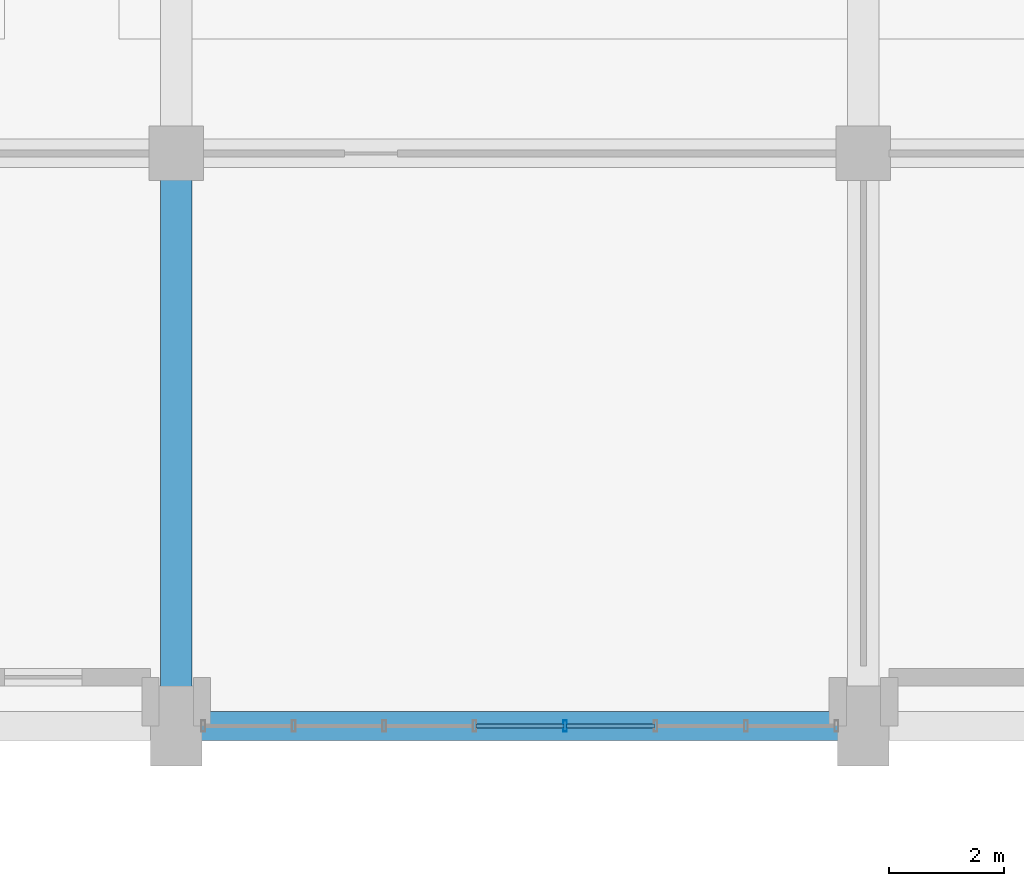
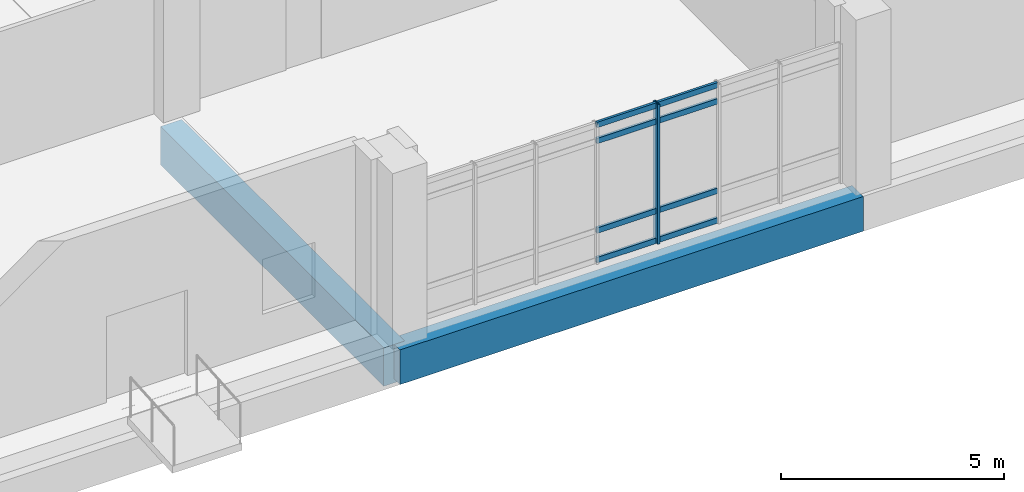
# One storey, part 8 of 87: 9 members, 2 beams, 1 element without a shape of its own.
"""IFC4 building model written with IfcOpenShell, lengths in metres."""

from ifc_helpers import new_model, si_unit, direction, frame, origin, origin_2d, place, context, subcontext, project, spatial, rectangle, hollow_rectangle, extrude, material, layer, layer_set, material_profile, profile_set, type_object, element, aggregate, save


model = new_model("IFC4")

# Units and contexts
model_context = context("Model", 3, precision=1e-05, world=origin(), true_north=direction((0.0, 1.0)))
body_context = subcontext(model_context, "Body", "Model", "MODEL_VIEW")
ifc_project = project(units=[si_unit("LENGTHUNIT", "METRE"), si_unit("AREAUNIT", "SQUARE_METRE"), si_unit("VOLUMEUNIT", "CUBIC_METRE"), si_unit("PLANEANGLEUNIT", "RADIAN"), si_unit("MASSUNIT", "GRAM", prefix="KILO")], contexts=[model_context])

# Site, building, storey
site_placement = place(None, origin())
site = spatial("IfcSite", under=ifc_project, at=site_placement, CompositionType="ELEMENT")
building_placement = place(site_placement, origin())
building = spatial("IfcBuilding", under=site, at=building_placement, Name="Mersad Railyard Sports Hall", CompositionType="ELEMENT")
storey_placement = place(building_placement, origin())
storey = spatial("IfcBuildingStorey", under=building, at=storey_placement, Name="L00", CompositionType="ELEMENT", Elevation=0.0)

# Curtain wall, members
ifc_material_1 = material(Name="Aluminium 6063-T6", Category="aluminium")
ifc_layer = layer(ifc_material_1, 0.199951171875)
ifc_layer_set = layer_set([ifc_layer], Name="Aluminium 6063-T6")
curtain_wall_type = type_object("IfcCurtainWallType", Name="ARC-CW-CW01", PredefinedType="USERDEFINED", material=ifc_layer_set)
curtain_wall_placement = place(storey_placement, origin())
curtain_wall = element("IfcCurtainWall", 1, at=curtain_wall_placement, inside=storey, type_object=curtain_wall_type, Name="Curtain wall CW01-0007", ObjectType="CURTAIN WALL", PredefinedType="USERDEFINED")
ifc_material_profile_1 = material_profile(ifc_material_1, hollow_rectangle(XDim=0.06494140625, YDim=0.199951171875, WallThickness=0.0048828125, at=origin_2d()), Name="AL MULLION 65x200x5")
ifc_profile_set_1 = profile_set([ifc_material_profile_1], Name="Aluminium 6063-T6")
member_type_1 = type_object("IfcMemberType", Name="ARC-CW-MUL02", PredefinedType="MULLION", material=ifc_profile_set_1)
member_1_placement = place(storey_placement, frame((37.7900390625, 3.5, -0.02001953125), z_axis=(0.0, 0.0, 1.0), x_axis=(1.0, 0.0, 0.0)))
member_1 = element("IfcMember", 2, at=member_1_placement, type_object=member_type_1, Name="CW01 Mullion 4", PredefinedType="MULLION", context=body_context, shape_type="SweptSolid", body=[
    extrude(hollow_rectangle(XDim=0.06494140625, YDim=0.199951171875, WallThickness=0.0048828125, at=origin_2d()), origin(), (0.0, 0.0, 1.0), 3.820068359375),
])
ifc_material_profile_2 = material_profile(ifc_material_1, hollow_rectangle(XDim=0.06494140625, YDim=0.14990234375, WallThickness=0.00439453125, at=origin_2d()), Name="AL TRANSOM 65x150x4.5")
ifc_profile_set_2 = profile_set([ifc_material_profile_2], Name="Aluminium 6063-T6")
member_type_2 = type_object("IfcMemberType", Name="ARC-CW-TRN02", PredefinedType="USERDEFINED", material=ifc_profile_set_2)
member_2_placement = place(storey_placement, frame((39.35009765625, 3.5, 0.0400390625), z_axis=(-1.0, 0.0, 0.0), x_axis=(0.0, -1.0, 0.0)))
member_2 = element("IfcMember", 3, at=member_2_placement, type_object=member_type_2, Name="CW01 Transom 1-3", ObjectType="TRANSOM", PredefinedType="USERDEFINED", context=body_context, shape_type="SweptSolid", body=[
    extrude(hollow_rectangle(XDim=0.06494140625, YDim=0.14990234375, WallThickness=0.00439453125, at=origin_2d()), origin(), (0.0, 0.0, 1.0), 1.5400390625),
])
member_3_placement = place(storey_placement, frame((37.77001953125, 3.5, 0.0400390625), z_axis=(-1.0, 0.0, 0.0), x_axis=(0.0, -1.0, 0.0)))
member_3 = element("IfcMember", 4, at=member_3_placement, type_object=member_type_2, Name="CW01 Transom 1-4", ObjectType="TRANSOM", PredefinedType="USERDEFINED", context=body_context, shape_type="SweptSolid", body=[
    extrude(hollow_rectangle(XDim=0.06494140625, YDim=0.14990234375, WallThickness=0.00439453125, at=origin_2d()), origin(), (0.0, 0.0, 1.0), 1.5400390625),
])
member_4_placement = place(storey_placement, frame((39.35009765625, 3.5, 0.85009765625), z_axis=(-1.0, 0.0, 0.0), x_axis=(0.0, -1.0, 0.0)))
member_4 = element("IfcMember", 5, at=member_4_placement, type_object=member_type_2, Name="CW01 Transom 2-3", ObjectType="TRANSOM", PredefinedType="USERDEFINED", context=body_context, shape_type="SweptSolid", body=[
    extrude(hollow_rectangle(XDim=0.06494140625, YDim=0.14990234375, WallThickness=0.00439453125, at=origin_2d()), origin(), (0.0, 0.0, 1.0), 1.5400390625),
])
member_5_placement = place(storey_placement, frame((37.77001953125, 3.5, 0.85009765625), z_axis=(-1.0, 0.0, 0.0), x_axis=(0.0, -1.0, 0.0)))
member_5 = element("IfcMember", 6, at=member_5_placement, type_object=member_type_2, Name="CW01 Transom 2-4", ObjectType="TRANSOM", PredefinedType="USERDEFINED", context=body_context, shape_type="SweptSolid", body=[
    extrude(hollow_rectangle(XDim=0.06494140625, YDim=0.14990234375, WallThickness=0.00439453125, at=origin_2d()), origin(), (0.0, 0.0, 1.0), 1.5400390625),
])
member_6_placement = place(storey_placement, frame((39.35009765625, 3.5, 3.300048828125), z_axis=(-1.0, 0.0, 0.0), x_axis=(0.0, -1.0, 0.0)))
member_6 = element("IfcMember", 7, at=member_6_placement, type_object=member_type_2, Name="CW01 Transom 3-3", ObjectType="TRANSOM", PredefinedType="USERDEFINED", context=body_context, shape_type="SweptSolid", body=[
    extrude(hollow_rectangle(XDim=0.06494140625, YDim=0.14990234375, WallThickness=0.00439453125, at=origin_2d()), origin(), (0.0, 0.0, 1.0), 1.5400390625),
])
member_7_placement = place(storey_placement, frame((37.77001953125, 3.5, 3.300048828125), z_axis=(-1.0, 0.0, 0.0), x_axis=(0.0, -1.0, 0.0)))
member_7 = element("IfcMember", 8, at=member_7_placement, type_object=member_type_2, Name="CW01 Transom 3-4", ObjectType="TRANSOM", PredefinedType="USERDEFINED", context=body_context, shape_type="SweptSolid", body=[
    extrude(hollow_rectangle(XDim=0.06494140625, YDim=0.14990234375, WallThickness=0.00439453125, at=origin_2d()), origin(), (0.0, 0.0, 1.0), 1.5400390625),
])
member_8_placement = place(storey_placement, frame((39.35009765625, 3.5, 3.739990234375), z_axis=(-1.0, 0.0, 0.0), x_axis=(0.0, -1.0, 0.0)))
member_8 = element("IfcMember", 9, at=member_8_placement, type_object=member_type_2, Name="CW01 Transom 4-3", ObjectType="TRANSOM", PredefinedType="USERDEFINED", context=body_context, shape_type="SweptSolid", body=[
    extrude(hollow_rectangle(XDim=0.06494140625, YDim=0.14990234375, WallThickness=0.00439453125, at=origin_2d()), origin(), (0.0, 0.0, 1.0), 1.5400390625),
])
member_9_placement = place(storey_placement, frame((37.77001953125, 3.5, 3.739990234375), z_axis=(-1.0, 0.0, 0.0), x_axis=(0.0, -1.0, 0.0)))
member_9 = element("IfcMember", 10, at=member_9_placement, type_object=member_type_2, Name="CW01 Transom 4-4", ObjectType="TRANSOM", PredefinedType="USERDEFINED", context=body_context, shape_type="SweptSolid", body=[
    extrude(hollow_rectangle(XDim=0.06494140625, YDim=0.14990234375, WallThickness=0.00439453125, at=origin_2d()), origin(), (0.0, 0.0, 1.0), 1.5400390625),
])
aggregate(curtain_wall, [member_1, member_2, member_3, member_4, member_5, member_6, member_7, member_8, member_9])

# Beams
ifc_material_2 = material(Name="Concrete C50/60", Category="concrete")
ifc_material_profile_3 = material_profile(ifc_material_2, rectangle(XDim=0.5, YDim=0.949951171875, at=origin_2d()), Name="RC 500x950")
ifc_profile_set_3 = profile_set([ifc_material_profile_3], Name="Concrete C50/60")
beam_type_1 = type_object("IfcBeamType", Name="STR-BM-B03", PredefinedType="BEAM", material=ifc_profile_set_3)
beam_1_placement = place(storey_placement, frame((31.0, 3.5, -0.925048828125), z_axis=(1.0, 0.0, 0.0), x_axis=(0.0, 1.0, 0.0)))
element("IfcBeam", 11, at=beam_1_placement, inside=storey, type_object=beam_type_1, Name="Beam B03-0003", PredefinedType="BEAM", context=body_context, shape_type="SweptSolid", body=[
    extrude(rectangle(XDim=0.5, YDim=0.949951171875, at=origin_2d()), origin(), (0.0, 0.0, 1.0), 12.0),
])
ifc_material_profile_4 = material_profile(ifc_material_2, rectangle(XDim=0.550048828125, YDim=1.050048828125, at=origin_2d()), Name="RC 550x1050")
ifc_profile_set_4 = profile_set([ifc_material_profile_4], Name="Concrete C50/60")
beam_type_2 = type_object("IfcBeamType", Name="STR-BM-B04", PredefinedType="BEAM", material=ifc_profile_set_4)
beam_2_placement = place(storey_placement, frame((31.0, 3.5, -0.97509765625), z_axis=(0.0, 1.0, 0.0), x_axis=(-1.0, 0.0, 0.0)))
element("IfcBeam", 12, at=beam_2_placement, inside=storey, type_object=beam_type_2, Name="Beam B04-0035", PredefinedType="BEAM", context=body_context, shape_type="SweptSolid", body=[
    extrude(rectangle(XDim=0.550048828125, YDim=1.050048828125, at=origin_2d()), origin(), (0.0, 0.0, 1.0), 10.0),
])

save(model, "model.ifc")
